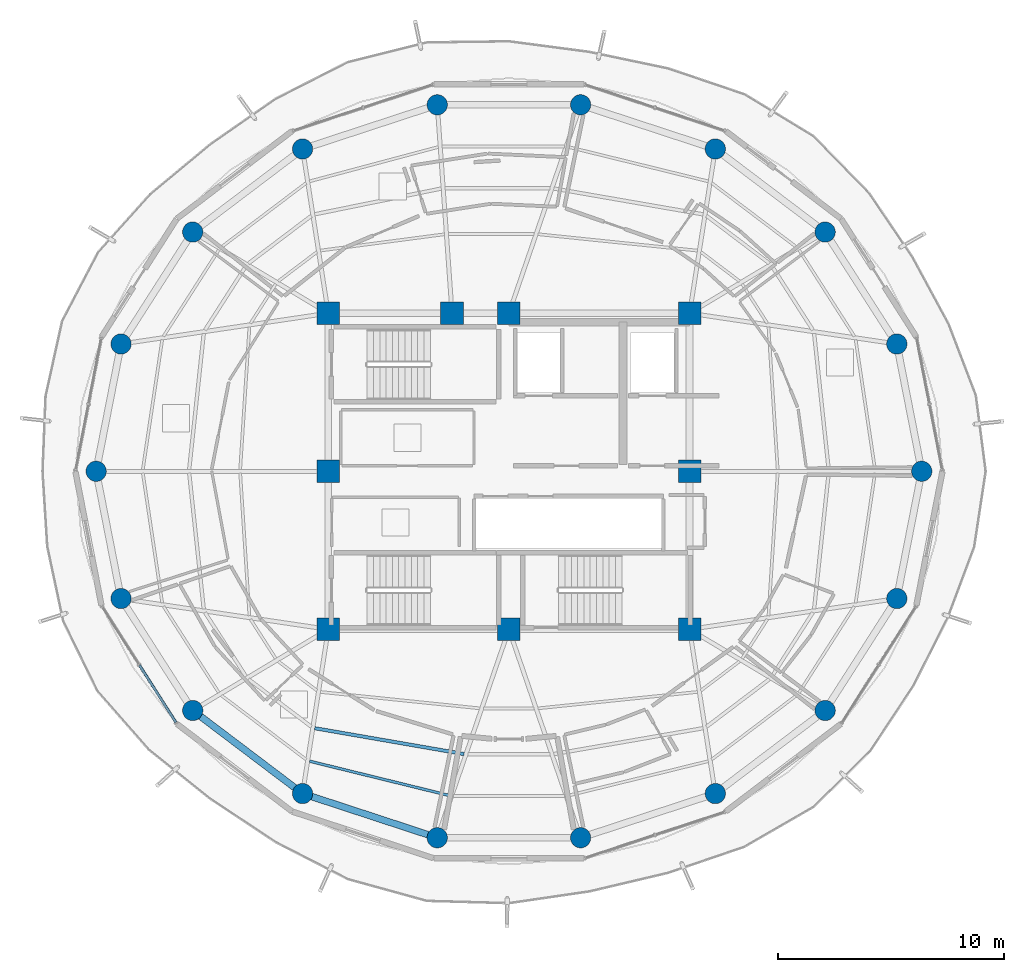
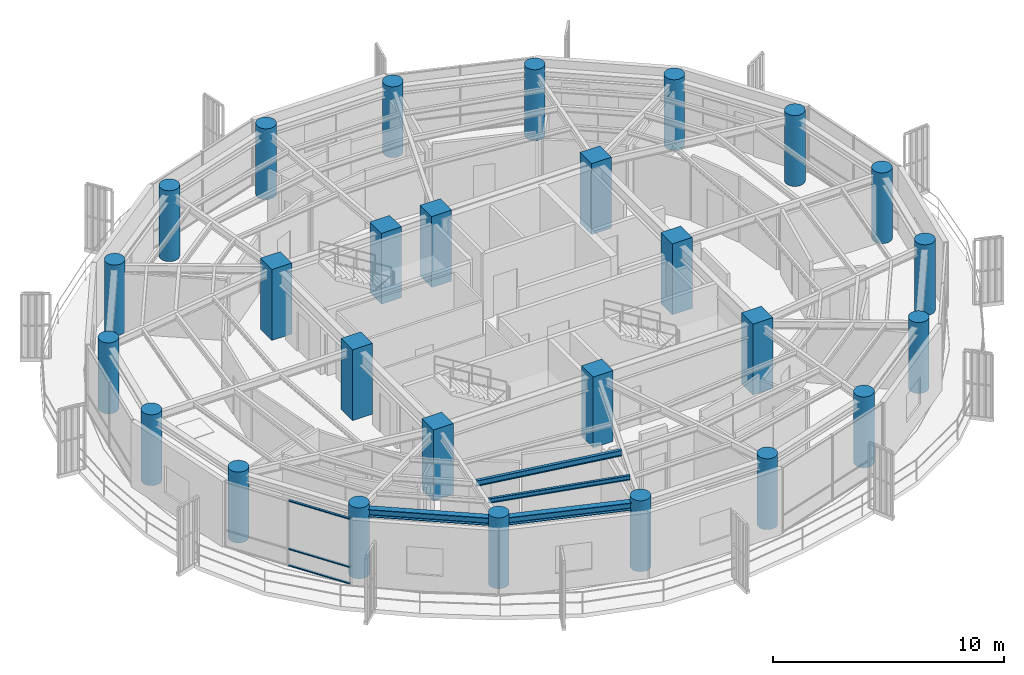
# One storey, part 1 of 22: 27 columns, 4 beams, 3 members, 1 element without a shape of its own.
"""IFC4 building model written with IfcOpenShell, lengths in metres."""

import ifcopenshell
import ifcopenshell.guid

model = None  # the IFC model being written
_history = None  # IfcOwnerHistory: only IFC2X3 demands one
_inside = {}  # id of a spatial element -> (the spatial element, [elements in it])
_under = {}  # id of a project, library or spatial element -> (it, [spatial elements below it])
_declared = {}  # id of a project -> (the project, [libraries it declares])
_typed = {}  # id of a type object -> (the type object, [elements of that type])
_made_of = {}  # id of a material, layer set ... -> (it, [elements and type objects made of it])


def new_model(schema):
    """Start an empty IFC model of exactly this schema.

    Asked for "IFC4X3", IfcOpenShell would pick the latest addendum, in which some entities
    have other attributes; the version numbers below select the first issue.
    IFC2X3 requires an IfcOwnerHistory on every rooted entity: one is made here for all.
    """
    global model, _history
    if schema == "IFC4X3":
        model = ifcopenshell.file(schema_version=(4, 3, 0, 0))
    else:
        model = ifcopenshell.file(schema=schema)
    _inside.clear()
    _under.clear()
    _declared.clear()
    _typed.clear()
    _made_of.clear()
    _history = None
    if model.schema == "IFC2X3":
        org = make("IfcOrganization", Name="unknown")
        user = make(
            "IfcPersonAndOrganization",
            ThePerson=make("IfcPerson", FamilyName="unknown"),
            TheOrganization=org,
        )
        app = make(
            "IfcApplication",
            ApplicationDeveloper=org,
            Version="unknown",
            ApplicationFullName="unknown",
            ApplicationIdentifier="unknown",
        )
        _history = make(
            "IfcOwnerHistory",
            OwningUser=user,
            OwningApplication=app,
            ChangeAction="ADDED",
            CreationDate=0,
        )
    return model


def make(cls, **values):
    """One entity of the class cls with the attributes given. An attribute that is None is left unset."""
    return model.create_entity(
        cls, **{name: value for name, value in values.items() if value is not None}
    )


def rooted(cls, **values):
    """An entity with a GlobalId (a new one), such as an element, a storey or a relation."""
    return make(cls, GlobalId=ifcopenshell.guid.new(), OwnerHistory=_history, **values)


def si_unit(unit_type, name, prefix=None):
    """IfcSIUnit, for example si_unit("LENGTHUNIT", "METRE", prefix="MILLI")."""
    return make("IfcSIUnit", UnitType=unit_type, Prefix=prefix, Name=name)


def assignment(units):
    """IfcUnitAssignment: the units of a project."""
    return None if units is None else make("IfcUnitAssignment", Units=units)


def point(xyz):
    """IfcCartesianPoint."""
    return None if xyz is None else make("IfcCartesianPoint", Coordinates=xyz)


def direction(xyz):
    """IfcDirection."""
    return None if xyz is None else make("IfcDirection", DirectionRatios=xyz)


def frame(location, z_axis=None, x_axis=None):
    """IfcAxis2Placement3D, a coordinate frame: its origin and axes. An axis left out is left unset."""
    return make(
        "IfcAxis2Placement3D",
        Location=point(location),
        Axis=direction(z_axis),
        RefDirection=direction(x_axis),
    )


def frame_2d(location, x_axis=None):
    """IfcAxis2Placement2D, a coordinate frame in the plane: its origin and x axis."""
    return make(
        "IfcAxis2Placement2D", Location=point(location), RefDirection=direction(x_axis)
    )


def origin():
    """The frame at (0, 0, 0) with its axes left unset."""
    return frame((0.0, 0.0, 0.0))


def origin_2d():
    """The frame at (0, 0) in the plane with its x axis left unset."""
    return frame_2d((0.0, 0.0))


def place(relative_to, where):
    """IfcLocalPlacement: puts the frame where relative to a parent placement (None: the world)."""
    return make(
        "IfcLocalPlacement", PlacementRelTo=relative_to, RelativePlacement=where
    )


def context(
    kind, dimensions, precision=None, world=None, true_north=None, identifier=None
):
    """IfcGeometricRepresentationContext, for example the 3D "Model" context."""
    return make(
        "IfcGeometricRepresentationContext",
        ContextIdentifier=identifier,
        ContextType=kind,
        CoordinateSpaceDimension=dimensions,
        Precision=precision,
        WorldCoordinateSystem=world,
        TrueNorth=true_north,
    )


def subcontext(parent, identifier, kind, view, scale=None):
    """IfcGeometricRepresentationSubContext, for example "Body" below "Model"."""
    return make(
        "IfcGeometricRepresentationSubContext",
        ContextIdentifier=identifier,
        ContextType=kind,
        ParentContext=parent,
        TargetScale=scale,
        TargetView=view,
    )


def project(units=None, contexts=None):
    """IfcProject with its units and contexts."""
    return rooted(
        "IfcProject",
        Name="project",
        RepresentationContexts=contexts,
        UnitsInContext=assignment(units),
    )


def spatial(cls, under=None, at=None, **own):
    """A site, building, storey or space (cls), placed at a placement, below another one or the project."""
    s = rooted(cls, ObjectPlacement=at, **own)
    if under is not None:
        _under.setdefault(under.id(), (under, []))[1].append(s)
    return s


def profile(cls, at=None, kind="AREA", **sizes):
    """A parametric profile (cls). Its sizes go by their IFC names, for example OverallWidth=200.0."""
    return make(cls, ProfileType=kind, Position=at, **sizes)


def rectangle(**sizes):
    """IfcRectangleProfileDef."""
    return profile("IfcRectangleProfileDef", **sizes)


def hollow_rectangle(**sizes):
    """IfcRectangleHollowProfileDef."""
    return profile("IfcRectangleHollowProfileDef", **sizes)


def circle(**sizes):
    """IfcCircleProfileDef."""
    return profile("IfcCircleProfileDef", **sizes)


def i_section(**sizes):
    """IfcIShapeProfileDef."""
    return profile("IfcIShapeProfileDef", **sizes)


def extrude(swept, where, along, depth):
    """IfcExtrudedAreaSolid: the profile swept, set in the frame where, extruded along a direction by depth."""
    return make(
        "IfcExtrudedAreaSolid",
        SweptArea=swept,
        Position=where,
        ExtrudedDirection=direction(along),
        Depth=depth,
    )


def shape(context_of_items, identifier, shape_type, items):
    """IfcShapeRepresentation: the items that make up one representation, for example the "Body"."""
    return make(
        "IfcShapeRepresentation",
        ContextOfItems=context_of_items,
        RepresentationIdentifier=identifier,
        RepresentationType=shape_type,
        Items=items,
    )


def material(Name=None, Category=None):
    """IfcMaterial."""
    return make("IfcMaterial", Name=Name, Category=Category)


def layer(
    of_material, thickness, ventilated=None, Name=None, Category=None, Priority=None
):
    """IfcMaterialLayer: one layer of a wall or slab, of a material (None: an air gap)."""
    return make(
        "IfcMaterialLayer",
        Material=of_material,
        LayerThickness=thickness,
        IsVentilated=ventilated,
        Name=Name,
        Category=Category,
        Priority=Priority,
    )


def layer_set(layers, Name=None):
    """IfcMaterialLayerSet."""
    return make("IfcMaterialLayerSet", MaterialLayers=layers, LayerSetName=Name)


def material_profile(
    of_material, cross_section, Name=None, Category=None, Priority=None
):
    """IfcMaterialProfile: a cross section and its material."""
    return make(
        "IfcMaterialProfile",
        Name=Name,
        Material=of_material,
        Profile=cross_section,
        Priority=Priority,
        Category=Category,
    )


def profile_set(profiles, Name=None, composite=None):
    """IfcMaterialProfileSet."""
    return make(
        "IfcMaterialProfileSet",
        Name=Name,
        MaterialProfiles=profiles,
        CompositeProfile=composite,
    )


def made_of(thing, what):
    """Note that an element or type object is made of a material, layer set ...; save() writes the relation."""
    if what is not None:
        _made_of.setdefault(what.id(), (what, []))[1].append(thing)
    return thing


def type_object(cls, material=None, **own):
    """A type object (cls), such as IfcWallType, which elements share."""
    return made_of(rooted(cls, **own), material)


def element(
    cls,
    number,
    at=None,
    inside=None,
    cuts=None,
    type_object=None,
    material=None,
    context=None,
    identifier="Body",
    shape_type=None,
    held_by="IfcProductDefinitionShape",
    body=None,
    shapes=None,
    **own,
):
    """One element of the class cls, such as IfcWall. Its Tag is "e" and its number.

    at: its placement. inside: the storey or other place that contains it. cuts: it is an
    opening in that element (IfcRelVoidsElement). A single representation is given by context,
    identifier, shape_type and body (its items); several are given by shapes. held_by: the class
    of the entity that holds the representations. save() writes the other relations.
    """
    e = rooted(cls, Tag="e%d" % number, ObjectPlacement=at, **own)
    if body is not None:
        shapes = [shape(context, identifier, shape_type, body)]
    if shapes is not None:
        e.Representation = make(held_by, Representations=shapes)
    if inside is not None:
        _inside.setdefault(inside.id(), (inside, []))[1].append(e)
    if cuts is not None:
        rooted(
            "IfcRelVoidsElement", RelatingBuildingElement=cuts, RelatedOpeningElement=e
        )
    if type_object is not None:
        _typed.setdefault(type_object.id(), (type_object, []))[1].append(e)
    return made_of(e, material)


def aggregate(whole, parts):
    """IfcRelAggregates: a whole, such as a stair, and the parts it consists of."""
    return rooted("IfcRelAggregates", RelatingObject=whole, RelatedObjects=parts)


def save(model, path):
    """Write the relations noted so far, then the file.

    IfcRelAggregates (storeys below a building ...), IfcRelContainedInSpatialStructure (elements
    in a storey), IfcRelDefinesByType, IfcRelAssociatesMaterial and IfcRelDeclares: one each for
    every whole, place, type object, material and project.
    """
    for whole, parts in _under.values():
        aggregate(whole, parts)
    for where, things in _inside.values():
        rooted(
            "IfcRelContainedInSpatialStructure",
            RelatedElements=things,
            RelatingStructure=where,
        )
    for kind, things in _typed.values():
        rooted("IfcRelDefinesByType", RelatedObjects=things, RelatingType=kind)
    for what, things in _made_of.values():
        rooted("IfcRelAssociatesMaterial", RelatedObjects=things, RelatingMaterial=what)
    for by, libraries in _declared.values():
        rooted("IfcRelDeclares", RelatingContext=by, RelatedDefinitions=libraries)
    model.write(path)


model = new_model("IFC4")

# Units and contexts
model_context = context("Model", 3, precision=1e-05, world=origin(), true_north=direction((0.0, 1.0)))
body_context = subcontext(model_context, "Body", "Model", "MODEL_VIEW")
ifc_project = project(units=[si_unit("LENGTHUNIT", "METRE"), si_unit("AREAUNIT", "SQUARE_METRE"), si_unit("VOLUMEUNIT", "CUBIC_METRE"), si_unit("PLANEANGLEUNIT", "RADIAN"), si_unit("MASSUNIT", "GRAM", prefix="KILO")], contexts=[model_context])

# Site, building, storey
site_placement = place(None, origin())
site = spatial("IfcSite", under=ifc_project, at=site_placement, CompositionType="ELEMENT")
building_placement = place(site_placement, origin())
building = spatial("IfcBuilding", under=site, at=building_placement, Name="Kelanora Arch Commons", CompositionType="ELEMENT")
storey_placement = place(building_placement, frame((0.0, 0.0, 274.949951171875)))
storey = spatial("IfcBuildingStorey", under=building, at=storey_placement, Name="L70", CompositionType="ELEMENT", Elevation=274.949951171875)

# Columns
ifc_material_1 = material(Name="Concrete C50/60", Category="concrete")
ifc_material_profile_1 = material_profile(ifc_material_1, circle(Radius=0.449951171875, at=origin_2d()), Name="RCC900")
ifc_profile_set_1 = profile_set([ifc_material_profile_1], Name="Concrete C50/60")
column_type_1 = type_object("IfcColumnType", Name="COL-PERIM-Z5", PredefinedType="COLUMN", material=ifc_profile_set_1)
for number, where, z_axis, x_axis, name in (
    (1, (92.280029296875, 58.0, 0.0), (0.0, 0.0, 1.0), (1.0, 0.0, 0.0), "Perimeter Ring Column CP-00 L70"),
    (2, (91.177490234375, 63.636474609375, 0.0), (0.0, 0.0, 1.0), (1.0, 0.0, 0.0), "Perimeter Ring Column CP-02 L70"),
    (3, (88.00341796875, 68.593017578125, 0.0), (0.0, 0.0, 1.0), (1.0, 0.0, 0.0), "Perimeter Ring Column CP-04 L70"),
    (4, (83.139892578125, 72.272216796875, 0.0), (0.0, 0.0, 1.0), (1.0, 0.0, 0.0), "Perimeter Ring Column CP-06 L70"),
    (5, (77.17431640625, 74.2294921875, 0.0), (0.0, 0.0, 1.0), (1.0, 0.0, 0.0), "Perimeter Ring Column CP-08 L70"),
    (6, (70.82568359375, 74.2294921875, 0.0), (0.0, 0.0, 1.0), (1.0, 0.0, 0.0), "Perimeter Ring Column CP-10 L70"),
    (7, (64.860107421875, 72.272216796875, 0.0), (0.0, 0.0, 1.0), (1.0, 0.0, 0.0), "Perimeter Ring Column CP-12 L70"),
    (8, (59.99658203125, 68.593017578125, 0.0), (0.0, 0.0, 1.0), (1.0, 0.0, 0.0), "Perimeter Ring Column CP-14 L70"),
    (9, (56.822509765625, 63.636474609375, 0.0), (0.0, 0.0, 1.0), (1.0, 0.0, 0.0), "Perimeter Ring Column CP-16 L70"),
    (10, (55.719970703125, 58.0, 0.0), (0.0, 0.0, 1.0), (1.0, 0.0, 0.0), "Perimeter Ring Column CP-18 L70"),
    (11, (56.822509765625, 52.363525390625, 0.0), (0.0, 0.0, 1.0), (1.0, 0.0, 0.0), "Perimeter Ring Column CP-20 L70"),
    (12, (59.99658203125, 47.406982421875, 0.0), (0.0, 0.0, 1.0), (1.0, 0.0, 0.0), "Perimeter Ring Column CP-22 L70"),
    (13, (64.860107421875, 43.727783203125, 0.0), (0.0, 0.0, 1.0), (1.0, 0.0, 0.0), "Perimeter Ring Column CP-24 L70"),
    (14, (70.82568359375, 41.7705078125, 0.0), (0.0, 0.0, 1.0), (1.0, 0.0, 0.0), "Perimeter Ring Column CP-26 L70"),
    (15, (77.17431640625, 41.7705078125, 0.0), (0.0, 0.0, 1.0), (1.0, 0.0, 0.0), "Perimeter Ring Column CP-28 L70"),
    (16, (83.139892578125, 43.727783203125, 0.0), (0.0, 0.0, 1.0), (1.0, 0.0, 0.0), "Perimeter Ring Column CP-30 L70"),
    (17, (88.00341796875, 47.406982421875, 0.0), (0.0, 0.0, 1.0), (1.0, 0.0, 0.0), "Perimeter Ring Column CP-32 L70"),
    (18, (91.177490234375, 52.363525390625, 0.0), (0.0, 0.0, 1.0), (1.0, 0.0, 0.0), "Perimeter Ring Column CP-34 L70"),
):
    element("IfcColumn", number, at=place(storey_placement, frame(where, z_axis=z_axis, x_axis=x_axis)), inside=storey, type_object=column_type_1, Name=name, PredefinedType="COLUMN", context=body_context, shape_type="SweptSolid", body=[
        extrude(circle(Radius=0.449951171875, at=origin_2d()), origin(), (0.0, 0.0, 1.0), 3.75),
    ])
ifc_material_profile_2 = material_profile(ifc_material_1, rectangle(XDim=1.0, YDim=1.0, at=origin_2d()), Name="RC1000x1000")
ifc_profile_set_2 = profile_set([ifc_material_profile_2], Name="Concrete C50/60")
column_type_2 = type_object("IfcColumnType", Name="COL-PIL-HIGH", PredefinedType="PILASTER", material=ifc_profile_set_2)
for number, where, z_axis, x_axis, name in (
    (19, (66.0, 51.0, 0.0), (0.0, 0.0, 1.0), (1.0, 0.0, 0.0), "Core Pilaster Column CP1 L70"),
    (20, (74.0, 51.0, 0.0), (0.0, 0.0, 1.0), (1.0, 0.0, 0.0), "Core Pilaster Column CP2 L70"),
    (21, (82.0, 51.0, 0.0), (0.0, 0.0, 1.0), (1.0, 0.0, 0.0), "Core Pilaster Column CP3 L70"),
    (22, (82.0, 58.0, 0.0), (0.0, 0.0, 1.0), (1.0, 0.0, 0.0), "Core Pilaster Column CP4 L70"),
    (23, (82.0, 65.0, 0.0), (0.0, 0.0, 1.0), (1.0, 0.0, 0.0), "Core Pilaster Column CP5 L70"),
    (24, (74.0, 65.0, 0.0), (0.0, 0.0, 1.0), (1.0, 0.0, 0.0), "Core Pilaster Column CP6 L70"),
    (25, (71.47998046875, 65.0, 0.0), (0.0, 0.0, 1.0), (1.0, 0.0, 0.0), "Core Pilaster Column CP9 L70"),
    (26, (66.0, 65.0, 0.0), (0.0, 0.0, 1.0), (1.0, 0.0, 0.0), "Core Pilaster Column CP7 L70"),
    (27, (66.0, 58.0, 0.0), (0.0, 0.0, 1.0), (1.0, 0.0, 0.0), "Core Pilaster Column CP8 L70"),
):
    element("IfcColumn", number, at=place(storey_placement, frame(where, z_axis=z_axis, x_axis=x_axis)), inside=storey, type_object=column_type_2, Name=name, PredefinedType="PILASTER", context=body_context, shape_type="SweptSolid", body=[
        extrude(rectangle(XDim=1.0, YDim=1.0, at=origin_2d()), origin(), (0.0, 0.0, 1.0), 3.75),
    ])

# Beams
ifc_material_2 = material(Name="Steel S355", Category="steel")
ifc_material_profile_3 = material_profile(ifc_material_2, i_section(OverallWidth=0.14990234375, OverallDepth=0.300048828125, WebThickness=0.007080078125, FlangeThickness=0.0107421875, FilletRadius=0.014892578125, at=origin_2d()), Name="IPE300")
ifc_profile_set_3 = profile_set([ifc_material_profile_3], Name="Steel S355")
beam_type_1 = type_object("IfcBeamType", Name="BM-JST-01", PredefinedType="JOIST", material=ifc_profile_set_3)
beam_1_placement = place(storey_placement, frame((65.39990234375, 46.622314453125, 3.340087890625), z_axis=(0.985321568263, -0.170708544357, 0.0), x_axis=(0.170708544357, 0.985321568263, 0.0)))
element("IfcBeam", 28, at=beam_1_placement, inside=storey, type_object=beam_type_1, Name="Secondary Chord Joist BJB-24 L70", PredefinedType="JOIST", context=body_context, shape_type="SweptSolid", body=[
    extrude(i_section(OverallWidth=0.14990234375, OverallDepth=0.300048828125, WebThickness=0.007080078125, FlangeThickness=0.0107421875, FilletRadius=0.014892578125, at=origin_2d()), origin(), (0.0, 0.0, 1.0), 6.710205078125),
])
ifc_material_profile_4 = material_profile(ifc_material_2, i_section(OverallWidth=0.1201171875, OverallDepth=0.239990234375, WebThickness=0.006103515625, FlangeThickness=0.009765625, FilletRadius=0.014892578125, at=origin_2d()), Name="IPE240")
ifc_profile_set_4 = profile_set([ifc_material_profile_4], Name="Steel S355")
beam_type_2 = type_object("IfcBeamType", Name="BM-JST-02", PredefinedType="JOIST", material=ifc_profile_set_4)
beam_2_placement = place(storey_placement, frame((65.17041015625, 45.162109375, 3.3701171875), z_axis=(0.971109719488, -0.23863342749, 0.0), x_axis=(0.23863342749, 0.971109719488, 0.0)))
element("IfcBeam", 29, at=beam_2_placement, inside=storey, type_object=beam_type_2, Name="Secondary Chord Joist BJC-24 L70", PredefinedType="JOIST", context=body_context, shape_type="SweptSolid", body=[
    extrude(i_section(OverallWidth=0.1201171875, OverallDepth=0.239990234375, WebThickness=0.006103515625, FlangeThickness=0.009765625, FilletRadius=0.014892578125, at=origin_2d()), origin(), (0.0, 0.0, 1.0), 6.39208984375),
])
ifc_material_profile_5 = material_profile(ifc_material_2, i_section(OverallWidth=0.300048828125, OverallDepth=0.39990234375, WebThickness=0.013427734375, FlangeThickness=0.02392578125, FilletRadius=0.027099609375, at=origin_2d()), Name="HEB400")
ifc_profile_set_5 = profile_set([ifc_material_profile_5], Name="Steel S355")
beam_type_3 = type_object("IfcBeamType", Name="BM-SPN-Z4", PredefinedType="SPANDREL", material=ifc_profile_set_5)
beam_3_placement = place(storey_placement, frame((59.99658203125, 47.406982421875, 3.2900390625), z_axis=(0.797509460967, -0.603306439273, 0.0), x_axis=(0.603306439273, 0.797509460967, 0.0)))
element("IfcBeam", 30, at=beam_3_placement, inside=storey, type_object=beam_type_3, Name="Perimeter Spandrel Beam BS-22 L70", PredefinedType="SPANDREL", context=body_context, shape_type="SweptSolid", body=[
    extrude(i_section(OverallWidth=0.300048828125, OverallDepth=0.39990234375, WebThickness=0.013427734375, FlangeThickness=0.02392578125, FilletRadius=0.027099609375, at=origin_2d()), origin(), (0.0, 0.0, 1.0), 6.098388671875),
])
beam_4_placement = place(storey_placement, frame((64.860107421875, 43.727783203125, 3.2900390625), z_axis=(0.950165923039, -0.311744636996, 0.0), x_axis=(0.311744636996, 0.950165923039, 0.0)))
element("IfcBeam", 31, at=beam_4_placement, inside=storey, type_object=beam_type_3, Name="Perimeter Spandrel Beam BS-24 L70", PredefinedType="SPANDREL", context=body_context, shape_type="SweptSolid", body=[
    extrude(i_section(OverallWidth=0.300048828125, OverallDepth=0.39990234375, WebThickness=0.013427734375, FlangeThickness=0.02392578125, FilletRadius=0.027099609375, at=origin_2d()), origin(), (0.0, 0.0, 1.0), 6.278564453125),
])

# Curtain wall, members
ifc_material_3 = material(Name="Terracotta ceramic-fritted low-E glass and aluminium", Category="masonry")
ifc_layer = layer(ifc_material_3, 0.18994140625)
ifc_layer_set = layer_set([ifc_layer], Name="Terracotta ceramic-fritted low-E glass and aluminium")
curtain_wall_type = type_object("IfcCurtainWallType", Name="CW-SYS-03", PredefinedType="NOTDEFINED", material=ifc_layer_set)
curtain_wall_placement = place(storey_placement, origin())
curtain_wall = element("IfcCurtainWall", 32, at=curtain_wall_placement, inside=storey, type_object=curtain_wall_type, Name="Unitised Curtain Wall L70-B10", PredefinedType="NOTDEFINED")
ifc_material_4 = material(Name="Powder-coated aluminium terracotta", Category="masonry")
ifc_material_profile_6 = material_profile(ifc_material_4, hollow_rectangle(XDim=0.1201171875, YDim=0.06005859375, WallThickness=0.0048828125, InnerFilletRadius=0.0048828125, OuterFilletRadius=0.010009765625, at=origin_2d()), Name="CWT120x60")
ifc_profile_set_6 = profile_set([ifc_material_profile_6], Name="Powder-coated aluminium terracotta")
member_type = type_object("IfcMemberType", Name="CWT-STD", PredefinedType="USERDEFINED", material=ifc_profile_set_6)
member_1_placement = place(storey_placement, frame((57.64111328125, 49.40673828125, 0.030029296875), z_axis=(0.537286543791, -0.84339976871, 0.0), x_axis=(0.84339976871, 0.537286543791, 0.0)))
member_1 = element("IfcMember", 33, at=member_1_placement, type_object=member_type, Name="CW-03 transom 2.1", ObjectType="TRANSOM", PredefinedType="USERDEFINED", context=body_context, shape_type="SweptSolid", body=[
    extrude(hollow_rectangle(XDim=0.1201171875, YDim=0.06005859375, WallThickness=0.0048828125, InnerFilletRadius=0.0048828125, OuterFilletRadius=0.010009765625, at=origin_2d()), origin(), (0.0, 0.0, 1.0), 2.997314453125),
])
member_2_placement = place(storey_placement, frame((57.64111328125, 49.40673828125, 0.900146484375), z_axis=(0.537286543791, -0.84339976871, 0.0), x_axis=(0.84339976871, 0.537286543791, 0.0)))
member_2 = element("IfcMember", 34, at=member_2_placement, type_object=member_type, Name="CW-03 transom 2.2", ObjectType="TRANSOM", PredefinedType="USERDEFINED", context=body_context, shape_type="SweptSolid", body=[
    extrude(hollow_rectangle(XDim=0.1201171875, YDim=0.06005859375, WallThickness=0.0048828125, InnerFilletRadius=0.0048828125, OuterFilletRadius=0.010009765625, at=origin_2d()), origin(), (0.0, 0.0, 1.0), 2.997314453125),
])
member_3_placement = place(storey_placement, frame((57.64111328125, 49.40673828125, 3.445068359375), z_axis=(0.537286543791, -0.84339976871, 0.0), x_axis=(0.84339976871, 0.537286543791, 0.0)))
member_3 = element("IfcMember", 35, at=member_3_placement, type_object=member_type, Name="CW-03 transom 2.3", ObjectType="TRANSOM", PredefinedType="USERDEFINED", context=body_context, shape_type="SweptSolid", body=[
    extrude(hollow_rectangle(XDim=0.1201171875, YDim=0.06005859375, WallThickness=0.0048828125, InnerFilletRadius=0.0048828125, OuterFilletRadius=0.010009765625, at=origin_2d()), origin(), (0.0, 0.0, 1.0), 2.997314453125),
])
aggregate(curtain_wall, [member_1, member_2, member_3])

save(model, "model.ifc")
